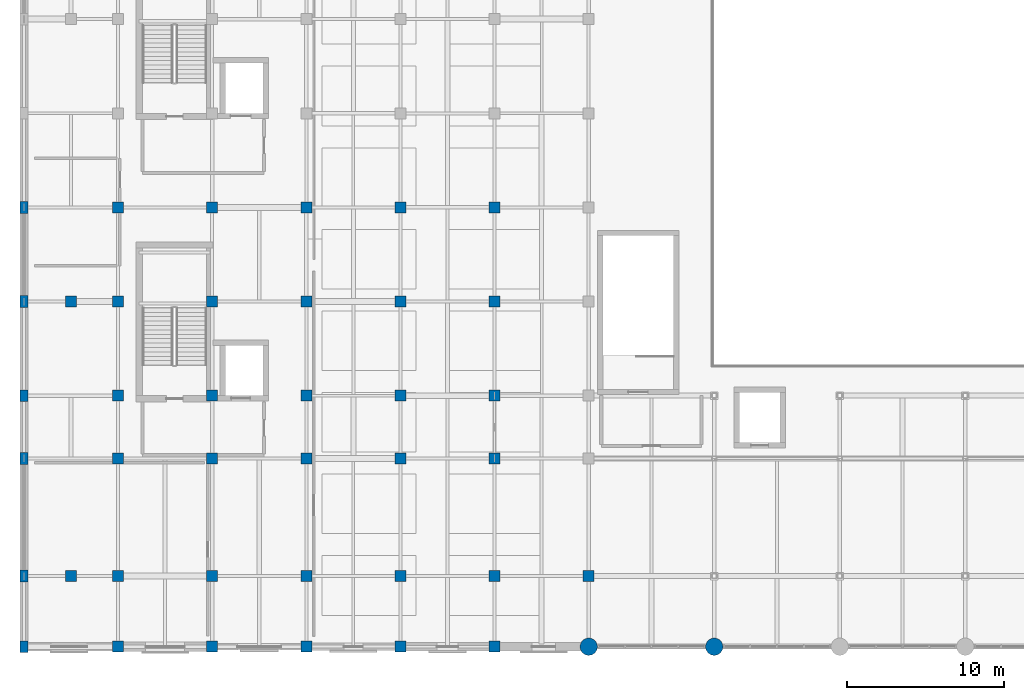
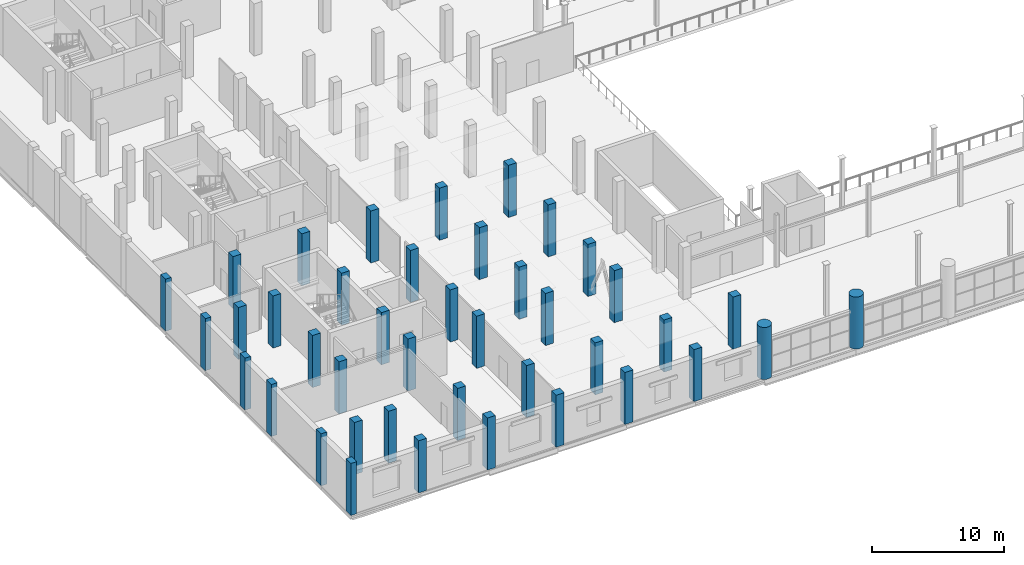
# One storey, part 1 of 114: 41 columns.
"""IFC4 building model written with IfcOpenShell, lengths in metres."""

from ifc_helpers import new_model, si_unit, direction, frame, origin, origin_2d, place, context, subcontext, project, spatial, rectangle, circle, extrude, material, material_profile, profile_set, type_object, element, save


model = new_model("IFC4")

# Units and contexts
model_context = context("Model", 3, precision=1e-05, world=origin(), true_north=direction((0.0, 1.0)))
body_context = subcontext(model_context, "Body", "Model", "MODEL_VIEW")
ifc_project = project(units=[si_unit("LENGTHUNIT", "METRE"), si_unit("AREAUNIT", "SQUARE_METRE"), si_unit("VOLUMEUNIT", "CUBIC_METRE"), si_unit("PLANEANGLEUNIT", "RADIAN"), si_unit("MASSUNIT", "GRAM", prefix="KILO")], contexts=[model_context])

# Site, building, storey
site_placement = place(None, origin())
site = spatial("IfcSite", under=ifc_project, at=site_placement, CompositionType="ELEMENT")
building_placement = place(site_placement, origin())
building = spatial("IfcBuilding", under=site, at=building_placement, Name="Verrall Gate Interchange", CompositionType="ELEMENT")
storey_placement = place(building_placement, frame((0.0, 0.0, 6.60009765625)))
storey = spatial("IfcBuildingStorey", under=building, at=storey_placement, Name="L02", CompositionType="ELEMENT", Elevation=6.60009765625)

# Columns
ifc_material_1 = material(Name="Concrete CSA A23.1 40 MPa (Class N)", Category="concrete")
ifc_material_profile_1 = material_profile(ifc_material_1, rectangle(XDim=0.699951171875, YDim=0.699951171875, at=origin_2d()), Name="RC700x700")
ifc_profile_set_1 = profile_set([ifc_material_profile_1], Name="Concrete CSA A23.1 40 MPa (Class N)")
column_type_1 = type_object("IfcColumnType", Name="C-03 Column RC700x700", PredefinedType="COLUMN", material=ifc_profile_set_1)
for number, where, z_axis, x_axis, name in (
    (1, (3.0, 4.5, 0.0), (0.0, 0.0, 1.0), (1.0, 0.0, 0.0), "L02 Column COL-L02-0104 (C-03)"),
    (2, (3.0, 22.0, 0.0), (0.0, 0.0, 1.0), (1.0, 0.0, 0.0), "L02 Column COL-L02-0111 (C-03)"),
    (3, (6.0, 0.0, 0.0), (0.0, 0.0, 1.0), (1.0, 0.0, 0.0), "L02 Column COL-L02-0134 (C-03)"),
    (4, (6.0, 4.5, 0.0), (0.0, 0.0, 1.0), (1.0, 0.0, 0.0), "L02 Column COL-L02-0140 (C-03)"),
    (5, (6.0, 12.0, 0.0), (0.0, 0.0, 1.0), (1.0, 0.0, 0.0), "L02 Column COL-L02-0148 (C-03)"),
    (6, (6.0, 16.0, 0.0), (0.0, 0.0, 1.0), (1.0, 0.0, 0.0), "L02 Column COL-L02-0157 (C-03)"),
    (7, (6.0, 22.0, 0.0), (0.0, 0.0, 1.0), (1.0, 0.0, 0.0), "L02 Column COL-L02-0166 (C-03)"),
    (8, (6.0, 28.0, 0.0), (0.0, 0.0, 1.0), (1.0, 0.0, 0.0), "L02 Column COL-L02-0175 (C-03)"),
    (9, (12.0, 0.0, 0.0), (0.0, 0.0, 1.0), (1.0, 0.0, 0.0), "L02 Column COL-L02-0251 (C-03)"),
    (10, (12.0, 4.5, 0.0), (0.0, 0.0, 1.0), (1.0, 0.0, 0.0), "L02 Column COL-L02-0257 (C-03)"),
    (11, (12.0, 12.0, 0.0), (0.0, 0.0, 1.0), (1.0, 0.0, 0.0), "L02 Column COL-L02-0265 (C-03)"),
    (12, (12.0, 16.0, 0.0), (0.0, 0.0, 1.0), (1.0, 0.0, 0.0), "L02 Column COL-L02-0274 (C-03)"),
    (13, (12.0, 22.0, 0.0), (0.0, 0.0, 1.0), (1.0, 0.0, 0.0), "L02 Column COL-L02-0283 (C-03)"),
    (14, (12.0, 28.0, 0.0), (0.0, 0.0, 1.0), (1.0, 0.0, 0.0), "L02 Column COL-L02-0292 (C-03)"),
    (15, (18.0, 0.0, 0.0), (0.0, 0.0, 1.0), (1.0, 0.0, 0.0), "L02 Column COL-L02-0368 (C-03)"),
    (16, (18.0, 4.5, 0.0), (0.0, 0.0, 1.0), (1.0, 0.0, 0.0), "L02 Column COL-L02-0374 (C-03)"),
    (17, (18.0, 12.0, 0.0), (0.0, 0.0, 1.0), (1.0, 0.0, 0.0), "L02 Column COL-L02-0382 (C-03)"),
    (18, (18.0, 16.0, 0.0), (0.0, 0.0, 1.0), (1.0, 0.0, 0.0), "L02 Column COL-L02-0391 (C-03)"),
    (19, (18.0, 22.0, 0.0), (0.0, 0.0, 1.0), (1.0, 0.0, 0.0), "L02 Column COL-L02-0400 (C-03)"),
    (20, (18.0, 28.0, 0.0), (0.0, 0.0, 1.0), (1.0, 0.0, 0.0), "L02 Column COL-L02-0409 (C-03)"),
    (21, (24.0, 0.0, 0.0), (0.0, 0.0, 1.0), (1.0, 0.0, 0.0), "L02 Column COL-L02-0485 (C-03)"),
    (22, (24.0, 4.5, 0.0), (0.0, 0.0, 1.0), (1.0, 0.0, 0.0), "L02 Column COL-L02-0491 (C-03)"),
    (23, (24.0, 12.0, 0.0), (0.0, 0.0, 1.0), (1.0, 0.0, 0.0), "L02 Column COL-L02-0499 (C-03)"),
    (24, (24.0, 16.0, 0.0), (0.0, 0.0, 1.0), (1.0, 0.0, 0.0), "L02 Column COL-L02-0508 (C-03)"),
    (25, (24.0, 22.0, 0.0), (0.0, 0.0, 1.0), (1.0, 0.0, 0.0), "L02 Column COL-L02-0517 (C-03)"),
    (26, (24.0, 28.0, 0.0), (0.0, 0.0, 1.0), (1.0, 0.0, 0.0), "L02 Column COL-L02-0526 (C-03)"),
    (27, (30.0, 0.0, 0.0), (0.0, 0.0, 1.0), (1.0, 0.0, 0.0), "L02 Column COL-L02-0602 (C-03)"),
    (28, (30.0, 4.5, 0.0), (0.0, 0.0, 1.0), (1.0, 0.0, 0.0), "L02 Column COL-L02-0608 (C-03)"),
    (29, (30.0, 12.0, 0.0), (0.0, 0.0, 1.0), (1.0, 0.0, 0.0), "L02 Column COL-L02-0616 (C-03)"),
    (30, (30.0, 16.0, 0.0), (0.0, 0.0, 1.0), (1.0, 0.0, 0.0), "L02 Column COL-L02-0625 (C-03)"),
    (31, (30.0, 22.0, 0.0), (0.0, 0.0, 1.0), (1.0, 0.0, 0.0), "L02 Column COL-L02-0634 (C-03)"),
    (32, (30.0, 28.0, 0.0), (0.0, 0.0, 1.0), (1.0, 0.0, 0.0), "L02 Column COL-L02-0643 (C-03)"),
    (33, (36.0, 4.5, 0.0), (0.0, 0.0, 1.0), (1.0, 0.0, 0.0), "L02 Column COL-L02-0725 (C-03)"),
):
    element("IfcColumn", number, at=place(storey_placement, frame(where, z_axis=z_axis, x_axis=x_axis)), inside=storey, type_object=column_type_1, Name=name, PredefinedType="COLUMN", context=body_context, shape_type="SweptSolid", body=[
        extrude(rectangle(XDim=0.699951171875, YDim=0.699951171875, at=origin_2d()), origin(), (0.0, 0.0, 1.0), 4.7998046875),
    ])
ifc_material_2 = material(Name="Concrete CSA A23.1 40 MPa (Class C-1)", Category="concrete")
ifc_material_profile_2 = material_profile(ifc_material_2, rectangle(XDim=0.5, YDim=0.75, at=origin_2d()), Name="RC500x750")
ifc_profile_set_2 = profile_set([ifc_material_profile_2], Name="Concrete CSA A23.1 40 MPa (Class C-1)")
column_type_2 = type_object("IfcColumnType", Name="C-05 Pilaster RC500x750", PredefinedType="PILASTER", material=ifc_profile_set_2)
for number, where, z_axis, x_axis, name in (
    (34, (0.0, 0.0, 0.0), (0.0, 0.0, 1.0), (1.0, 0.0, 0.0), "L02 Column COL-L02-0006 (C-05)"),
    (35, (0.0, 4.5, 0.0), (0.0, 0.0, 1.0), (1.0, 0.0, 0.0), "L02 Column COL-L02-0012 (C-05)"),
    (36, (0.0, 12.0, 0.0), (0.0, 0.0, 1.0), (1.0, 0.0, 0.0), "L02 Column COL-L02-0019 (C-05)"),
    (37, (0.0, 16.0, 0.0), (0.0, 0.0, 1.0), (1.0, 0.0, 0.0), "L02 Column COL-L02-0026 (C-05)"),
    (38, (0.0, 22.0, 0.0), (0.0, 0.0, 1.0), (1.0, 0.0, 0.0), "L02 Column COL-L02-0033 (C-05)"),
    (39, (0.0, 28.0, 0.0), (0.0, 0.0, 1.0), (1.0, 0.0, 0.0), "L02 Column COL-L02-0040 (C-05)"),
):
    element("IfcColumn", number, at=place(storey_placement, frame(where, z_axis=z_axis, x_axis=x_axis)), inside=storey, type_object=column_type_2, Name=name, PredefinedType="PILASTER", context=body_context, shape_type="SweptSolid", body=[
        extrude(rectangle(XDim=0.5, YDim=0.75, at=origin_2d()), origin(), (0.0, 0.0, 1.0), 4.7998046875),
    ])
ifc_material_3 = material(Name="Concrete CSA A23.1 40 MPa (Class C-1)", Category="concrete")
ifc_material_profile_3 = material_profile(ifc_material_3, circle(Radius=0.550048828125, at=origin_2d()), Name="RC1100D")
ifc_profile_set_3 = profile_set([ifc_material_profile_3], Name="Concrete CSA A23.1 40 MPa (Class C-1)")
column_type_3 = type_object("IfcColumnType", Name="C-06 Column RC1100D", PredefinedType="COLUMN", material=ifc_profile_set_3)
for number, where, z_axis, x_axis, name in (
    (40, (36.0, 0.0, 0.0), (0.0, 0.0, 1.0), (1.0, 0.0, 0.0), "L02 Column COL-L02-0719 (C-06)"),
    (41, (44.0, 0.0, 0.0), (0.0, 0.0, 1.0), (1.0, 0.0, 0.0), "L02 Column COL-L02-0829 (C-06)"),
):
    element("IfcColumn", number, at=place(storey_placement, frame(where, z_axis=z_axis, x_axis=x_axis)), inside=storey, type_object=column_type_3, Name=name, PredefinedType="COLUMN", context=body_context, shape_type="SweptSolid", body=[
        extrude(circle(Radius=0.550048828125, at=origin_2d()), origin(), (0.0, 0.0, 1.0), 4.7998046875),
    ])

save(model, "model.ifc")
